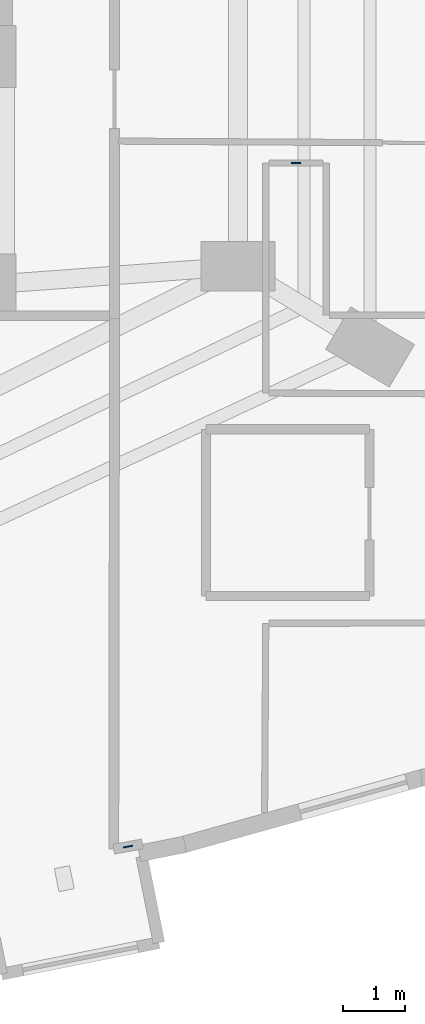
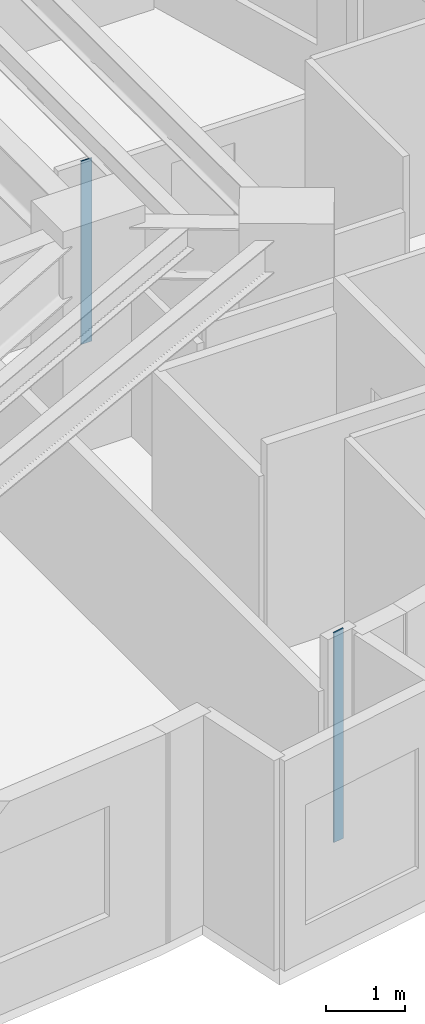
# One storey, part 4 of 11: 2 plates.
"""IFC4 building model written with IfcOpenShell, lengths in metres."""

import ifcopenshell
import ifcopenshell.guid

model = None  # the IFC model being written
_history = None  # IfcOwnerHistory: only IFC2X3 demands one
_inside = {}  # id of a spatial element -> (the spatial element, [elements in it])
_under = {}  # id of a project, library or spatial element -> (it, [spatial elements below it])
_declared = {}  # id of a project -> (the project, [libraries it declares])
_typed = {}  # id of a type object -> (the type object, [elements of that type])
_made_of = {}  # id of a material, layer set ... -> (it, [elements and type objects made of it])


def new_model(schema):
    """Start an empty IFC model of exactly this schema.

    Asked for "IFC4X3", IfcOpenShell would pick the latest addendum, in which some entities
    have other attributes; the version numbers below select the first issue.
    IFC2X3 requires an IfcOwnerHistory on every rooted entity: one is made here for all.
    """
    global model, _history
    if schema == "IFC4X3":
        model = ifcopenshell.file(schema_version=(4, 3, 0, 0))
    else:
        model = ifcopenshell.file(schema=schema)
    _inside.clear()
    _under.clear()
    _declared.clear()
    _typed.clear()
    _made_of.clear()
    _history = None
    if model.schema == "IFC2X3":
        org = make("IfcOrganization", Name="unknown")
        user = make(
            "IfcPersonAndOrganization",
            ThePerson=make("IfcPerson", FamilyName="unknown"),
            TheOrganization=org,
        )
        app = make(
            "IfcApplication",
            ApplicationDeveloper=org,
            Version="unknown",
            ApplicationFullName="unknown",
            ApplicationIdentifier="unknown",
        )
        _history = make(
            "IfcOwnerHistory",
            OwningUser=user,
            OwningApplication=app,
            ChangeAction="ADDED",
            CreationDate=0,
        )
    return model


def make(cls, **values):
    """One entity of the class cls with the attributes given. An attribute that is None is left unset."""
    return model.create_entity(
        cls, **{name: value for name, value in values.items() if value is not None}
    )


def rooted(cls, **values):
    """An entity with a GlobalId (a new one), such as an element, a storey or a relation."""
    return make(cls, GlobalId=ifcopenshell.guid.new(), OwnerHistory=_history, **values)


def si_unit(unit_type, name, prefix=None):
    """IfcSIUnit, for example si_unit("LENGTHUNIT", "METRE", prefix="MILLI")."""
    return make("IfcSIUnit", UnitType=unit_type, Prefix=prefix, Name=name)


def assignment(units):
    """IfcUnitAssignment: the units of a project."""
    return None if units is None else make("IfcUnitAssignment", Units=units)


def point(xyz):
    """IfcCartesianPoint."""
    return None if xyz is None else make("IfcCartesianPoint", Coordinates=xyz)


def direction(xyz):
    """IfcDirection."""
    return None if xyz is None else make("IfcDirection", DirectionRatios=xyz)


def frame(location, z_axis=None, x_axis=None):
    """IfcAxis2Placement3D, a coordinate frame: its origin and axes. An axis left out is left unset."""
    return make(
        "IfcAxis2Placement3D",
        Location=point(location),
        Axis=direction(z_axis),
        RefDirection=direction(x_axis),
    )


def frame_2d(location, x_axis=None):
    """IfcAxis2Placement2D, a coordinate frame in the plane: its origin and x axis."""
    return make(
        "IfcAxis2Placement2D", Location=point(location), RefDirection=direction(x_axis)
    )


def origin():
    """The frame at (0, 0, 0) with its axes left unset."""
    return frame((0.0, 0.0, 0.0))


def origin_2d():
    """The frame at (0, 0) in the plane with its x axis left unset."""
    return frame_2d((0.0, 0.0))


def place(relative_to, where):
    """IfcLocalPlacement: puts the frame where relative to a parent placement (None: the world)."""
    return make(
        "IfcLocalPlacement", PlacementRelTo=relative_to, RelativePlacement=where
    )


def context(
    kind, dimensions, precision=None, world=None, true_north=None, identifier=None
):
    """IfcGeometricRepresentationContext, for example the 3D "Model" context."""
    return make(
        "IfcGeometricRepresentationContext",
        ContextIdentifier=identifier,
        ContextType=kind,
        CoordinateSpaceDimension=dimensions,
        Precision=precision,
        WorldCoordinateSystem=world,
        TrueNorth=true_north,
    )


def subcontext(parent, identifier, kind, view, scale=None):
    """IfcGeometricRepresentationSubContext, for example "Body" below "Model"."""
    return make(
        "IfcGeometricRepresentationSubContext",
        ContextIdentifier=identifier,
        ContextType=kind,
        ParentContext=parent,
        TargetScale=scale,
        TargetView=view,
    )


def project(units=None, contexts=None):
    """IfcProject with its units and contexts."""
    return rooted(
        "IfcProject",
        Name="project",
        RepresentationContexts=contexts,
        UnitsInContext=assignment(units),
    )


def spatial(cls, under=None, at=None, **own):
    """A site, building, storey or space (cls), placed at a placement, below another one or the project."""
    s = rooted(cls, ObjectPlacement=at, **own)
    if under is not None:
        _under.setdefault(under.id(), (under, []))[1].append(s)
    return s


def profile(cls, at=None, kind="AREA", **sizes):
    """A parametric profile (cls). Its sizes go by their IFC names, for example OverallWidth=200.0."""
    return make(cls, ProfileType=kind, Position=at, **sizes)


def rectangle(**sizes):
    """IfcRectangleProfileDef."""
    return profile("IfcRectangleProfileDef", **sizes)


def extrude(swept, where, along, depth):
    """IfcExtrudedAreaSolid: the profile swept, set in the frame where, extruded along a direction by depth."""
    return make(
        "IfcExtrudedAreaSolid",
        SweptArea=swept,
        Position=where,
        ExtrudedDirection=direction(along),
        Depth=depth,
    )


def shape(context_of_items, identifier, shape_type, items):
    """IfcShapeRepresentation: the items that make up one representation, for example the "Body"."""
    return make(
        "IfcShapeRepresentation",
        ContextOfItems=context_of_items,
        RepresentationIdentifier=identifier,
        RepresentationType=shape_type,
        Items=items,
    )


def material(Name=None, Category=None):
    """IfcMaterial."""
    return make("IfcMaterial", Name=Name, Category=Category)


def layer(
    of_material, thickness, ventilated=None, Name=None, Category=None, Priority=None
):
    """IfcMaterialLayer: one layer of a wall or slab, of a material (None: an air gap)."""
    return make(
        "IfcMaterialLayer",
        Material=of_material,
        LayerThickness=thickness,
        IsVentilated=ventilated,
        Name=Name,
        Category=Category,
        Priority=Priority,
    )


def layer_set(layers, Name=None):
    """IfcMaterialLayerSet."""
    return make("IfcMaterialLayerSet", MaterialLayers=layers, LayerSetName=Name)


def made_of(thing, what):
    """Note that an element or type object is made of a material, layer set ...; save() writes the relation."""
    if what is not None:
        _made_of.setdefault(what.id(), (what, []))[1].append(thing)
    return thing


def type_object(cls, material=None, **own):
    """A type object (cls), such as IfcWallType, which elements share."""
    return made_of(rooted(cls, **own), material)


def element(
    cls,
    number,
    at=None,
    inside=None,
    cuts=None,
    type_object=None,
    material=None,
    context=None,
    identifier="Body",
    shape_type=None,
    held_by="IfcProductDefinitionShape",
    body=None,
    shapes=None,
    **own,
):
    """One element of the class cls, such as IfcWall. Its Tag is "e" and its number.

    at: its placement. inside: the storey or other place that contains it. cuts: it is an
    opening in that element (IfcRelVoidsElement). A single representation is given by context,
    identifier, shape_type and body (its items); several are given by shapes. held_by: the class
    of the entity that holds the representations. save() writes the other relations.
    """
    e = rooted(cls, Tag="e%d" % number, ObjectPlacement=at, **own)
    if body is not None:
        shapes = [shape(context, identifier, shape_type, body)]
    if shapes is not None:
        e.Representation = make(held_by, Representations=shapes)
    if inside is not None:
        _inside.setdefault(inside.id(), (inside, []))[1].append(e)
    if cuts is not None:
        rooted(
            "IfcRelVoidsElement", RelatingBuildingElement=cuts, RelatedOpeningElement=e
        )
    if type_object is not None:
        _typed.setdefault(type_object.id(), (type_object, []))[1].append(e)
    return made_of(e, material)


def aggregate(whole, parts):
    """IfcRelAggregates: a whole, such as a stair, and the parts it consists of."""
    return rooted("IfcRelAggregates", RelatingObject=whole, RelatedObjects=parts)


def save(model, path):
    """Write the relations noted so far, then the file.

    IfcRelAggregates (storeys below a building ...), IfcRelContainedInSpatialStructure (elements
    in a storey), IfcRelDefinesByType, IfcRelAssociatesMaterial and IfcRelDeclares: one each for
    every whole, place, type object, material and project.
    """
    for whole, parts in _under.values():
        aggregate(whole, parts)
    for where, things in _inside.values():
        rooted(
            "IfcRelContainedInSpatialStructure",
            RelatedElements=things,
            RelatingStructure=where,
        )
    for kind, things in _typed.values():
        rooted("IfcRelDefinesByType", RelatedObjects=things, RelatingType=kind)
    for what, things in _made_of.values():
        rooted("IfcRelAssociatesMaterial", RelatedObjects=things, RelatingMaterial=what)
    for by, libraries in _declared.values():
        rooted("IfcRelDeclares", RelatingContext=by, RelatedDefinitions=libraries)
    model.write(path)


model = new_model("IFC4")

# Units and contexts
model_context = context("Model", 3, precision=1e-05, world=origin(), true_north=direction((0.0, 1.0)))
body_context = subcontext(model_context, "Body", "Model", "MODEL_VIEW")
ifc_project = project(units=[si_unit("LENGTHUNIT", "METRE"), si_unit("AREAUNIT", "SQUARE_METRE"), si_unit("VOLUMEUNIT", "CUBIC_METRE"), si_unit("PLANEANGLEUNIT", "RADIAN"), si_unit("MASSUNIT", "GRAM", prefix="KILO")], contexts=[model_context])

# Site, building, storey
site_placement = place(None, origin())
site = spatial("IfcSite", under=ifc_project, at=site_placement, CompositionType="ELEMENT")
building_placement = place(site_placement, origin())
building = spatial("IfcBuilding", under=site, at=building_placement, Name="Miruveldt Soraemaru", CompositionType="ELEMENT")
storey_placement = place(building_placement, frame((0.0, 0.0, 156.39990234375)))
storey = spatial("IfcBuildingStorey", under=building, at=storey_placement, Name="L43", CompositionType="ELEMENT", Elevation=156.39990234375)

# Plates
ifc_material = material(Name="Anodised aluminium EN AW-6063 T6", Category="aluminium")
ifc_layer = layer(ifc_material, 0.02001953125, Name="Anodised aluminium EN AW-6063 T6", Category="aluminium")
ifc_layer_set = layer_set([ifc_layer], Name="Anodised aluminium EN AW-6063 T6")
plate_type = type_object("IfcPlateType", Name="PLT-PART-TRIM", PredefinedType="SHEET", material=ifc_layer_set)
plate_1_placement = place(storey_placement, frame((57.5400390625, 37.47607421875, 0.0), z_axis=(0.0, 0.0, 1.0), x_axis=(1.0, 0.0, 0.0)))
element("IfcPlate", 1, at=plate_1_placement, inside=storey, type_object=plate_type, Name="L43 Partition Step Corner Trim Plate 056", PredefinedType="SHEET", context=body_context, shape_type="SweptSolid", body=[
    extrude(rectangle(XDim=0.159912109375, YDim=0.02001953125, at=origin_2d()), origin(), (0.0, 0.0, 1.0), 2.822998046875),
])
plate_2_placement = place(storey_placement, frame((54.818359375, 26.399658203125, 0.0), z_axis=(0.0, 0.0, 1.0), x_axis=(0.983476816388, 0.1810341173, 0.0)))
element("IfcPlate", 2, at=plate_2_placement, inside=storey, type_object=plate_type, Name="L43 Partition Step Corner Trim Plate 001", PredefinedType="SHEET", context=body_context, shape_type="SweptSolid", body=[
    extrude(rectangle(XDim=0.159912109375, YDim=0.02001953125, at=origin_2d()), origin(), (0.0, 0.0, 1.0), 3.235107421875),
])

save(model, "model.ifc")
